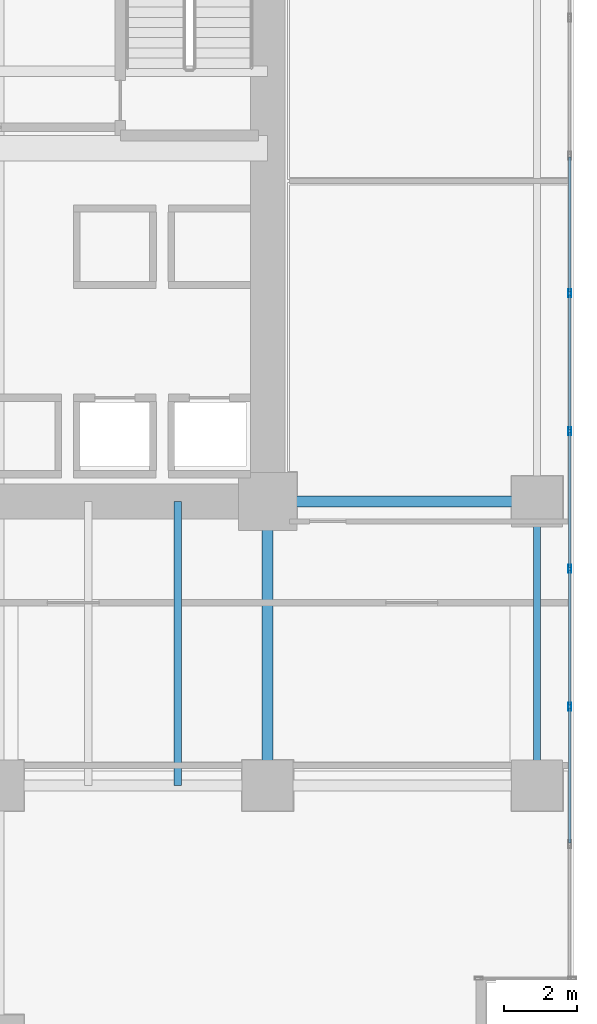
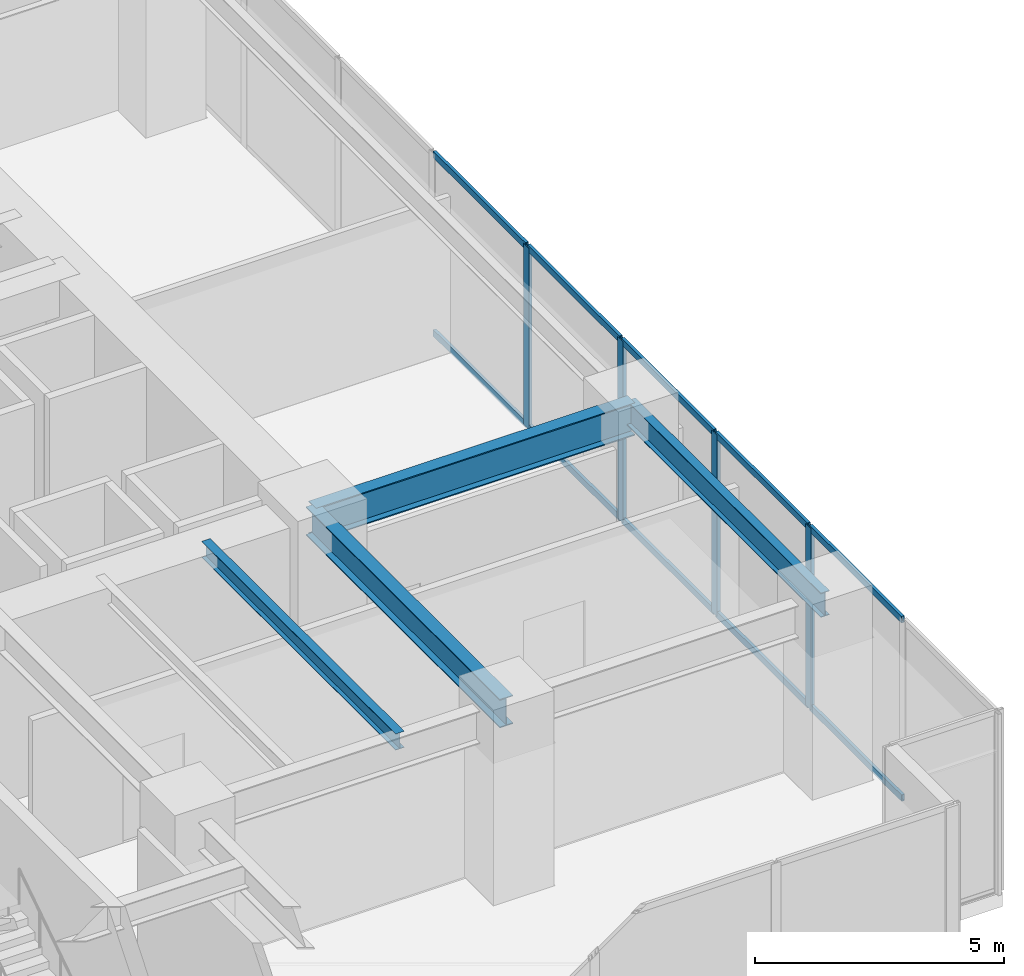
# One storey, part 24 of 39: 14 members, 4 beams, 1 element without a shape of its own.
"""IFC4 building model written with IfcOpenShell, lengths in metres."""

from ifc_helpers import new_model, si_unit, direction, frame, origin, origin_2d, place, context, subcontext, project, spatial, hollow_rectangle, i_section, extrude, source, transform, mapped, material, layer, layer_set, material_profile, profile_set, type_object, type_shapes, element, aggregate, save


model = new_model("IFC4")

# Units and contexts
model_context = context("Model", 3, precision=1e-05, world=origin(), true_north=direction((0.0, 1.0)))
body_context = subcontext(model_context, "Body", "Model", "MODEL_VIEW")
ifc_project = project(units=[si_unit("LENGTHUNIT", "METRE"), si_unit("AREAUNIT", "SQUARE_METRE"), si_unit("VOLUMEUNIT", "CUBIC_METRE"), si_unit("PLANEANGLEUNIT", "RADIAN"), si_unit("MASSUNIT", "GRAM", prefix="KILO")], contexts=[model_context])

# Site, building, storey
site_placement = place(None, origin())
site = spatial("IfcSite", under=ifc_project, at=site_placement, CompositionType="ELEMENT")
building_placement = place(site_placement, origin())
building = spatial("IfcBuilding", under=site, at=building_placement, Name="Haelvirn Gate Laboratories", CompositionType="ELEMENT")
storey_placement = place(building_placement, frame((0.0, 0.0, 15.0)))
storey = spatial("IfcBuildingStorey", under=building, at=storey_placement, Name="L04", CompositionType="ELEMENT", Elevation=15.0)

# Beams
ifc_material_1 = material(Name="Steel SM420", Category="steel")
ifc_material_profile_1 = material_profile(ifc_material_1, i_section(OverallWidth=0.300048828125, OverallDepth=0.800048828125, WebThickness=0.013916015625, FlangeThickness=0.02587890625, at=origin_2d()), Name="H-800x300x14x26")
ifc_profile_set_1 = profile_set([ifc_material_profile_1], Name="Steel SM420")
beam_type_1 = type_object("IfcBeamType", Name="BM-G-800", PredefinedType="BEAM", material=ifc_profile_set_1)
shared_shape_1 = source(origin(), body_context, "Body", "SweptSolid", [
    extrude(i_section(OverallWidth=0.300048828125, OverallDepth=0.800048828125, WebThickness=0.013916015625, FlangeThickness=0.02587890625, at=origin_2d()), origin(), (0.0, 0.0, 1.0), 7.400146484375),
])
type_shapes(beam_type_1, [shared_shape_1])
beam_1_placement = place(storey_placement, frame((67.39990234375, 14.800048828125, 4.050048828125), z_axis=(1.0, 0.0, 0.0), x_axis=(0.0, 1.0, 0.0)))
element("IfcBeam", 1, at=beam_1_placement, inside=storey, type_object=beam_type_1, Name="L04 Primary Girder Y14.8 (67.4-74.8)", PredefinedType="BEAM", context=body_context, shape_type="MappedRepresentation", body=[
    mapped(shared_shape_1, transform((0.0, 0.0, 0.0), scale=1.0)),
])
ifc_material_2 = material(Name="Steel SM355", Category="steel")
ifc_material_profile_2 = material_profile(ifc_material_2, i_section(OverallWidth=0.199951171875, OverallDepth=0.60009765625, WebThickness=0.010986328125, FlangeThickness=0.01708984375, at=origin_2d()), Name="H-600x200x11x17")
ifc_profile_set_2 = profile_set([ifc_material_profile_2], Name="Steel SM355")
beam_type_2 = type_object("IfcBeamType", Name="BM-SP-600", PredefinedType="SPANDREL", material=ifc_profile_set_2)
shared_shape_2 = source(origin(), body_context, "Body", "SweptSolid", [
    extrude(i_section(OverallWidth=0.199951171875, OverallDepth=0.60009765625, WebThickness=0.010986328125, FlangeThickness=0.01708984375, at=origin_2d()), origin(), (0.0, 0.0, 1.0), 7.800048828125),
])
type_shapes(beam_type_2, [shared_shape_2])
beam_2_placement = place(storey_placement, frame((74.800048828125, 7.0, 4.14990234375), z_axis=(0.0, 1.0, 0.0), x_axis=(-1.0, 0.0, 0.0)))
element("IfcBeam", 2, at=beam_2_placement, inside=storey, type_object=beam_type_2, Name="L04 Perimeter Spandrel X74.8 (7.0-14.8)", PredefinedType="SPANDREL", context=body_context, shape_type="MappedRepresentation", body=[
    mapped(shared_shape_2, transform((0.0, 0.0, 0.0), scale=1.0)),
])
ifc_material_profile_3 = material_profile(ifc_material_2, i_section(OverallWidth=0.199951171875, OverallDepth=0.39990234375, WebThickness=0.008056640625, FlangeThickness=0.012939453125, at=origin_2d()), Name="H-400x200x8x13")
ifc_profile_set_3 = profile_set([ifc_material_profile_3], Name="Steel SM355")
beam_type_3 = type_object("IfcBeamType", Name="BM-J-400", PredefinedType="JOIST", material=ifc_profile_set_3)
shared_shape_3 = source(origin(), body_context, "Body", "SweptSolid", [
    extrude(i_section(OverallWidth=0.199951171875, OverallDepth=0.39990234375, WebThickness=0.008056640625, FlangeThickness=0.012939453125, at=origin_2d()), origin(), (0.0, 0.0, 1.0), 7.800048828125),
])
type_shapes(beam_type_3, [shared_shape_3])
beam_3_placement = place(storey_placement, frame((64.929931640625, 7.0, 4.25), z_axis=(0.0, 1.0, 0.0), x_axis=(-1.0, 0.0, 0.0)))
element("IfcBeam", 3, at=beam_3_placement, inside=storey, type_object=beam_type_3, Name="L04 Composite Lab Joist South X64.93", PredefinedType="JOIST", context=body_context, shape_type="MappedRepresentation", body=[
    mapped(shared_shape_3, transform((0.0, 0.0, 0.0), scale=1.0)),
])
ifc_material_profile_4 = material_profile(ifc_material_2, i_section(OverallWidth=0.300048828125, OverallDepth=0.699951171875, WebThickness=0.012939453125, FlangeThickness=0.02392578125, at=origin_2d()), Name="H-700x300x13x24")
ifc_profile_set_4 = profile_set([ifc_material_profile_4], Name="Steel SM355")
beam_type_4 = type_object("IfcBeamType", Name="BM-G-700", PredefinedType="BEAM", material=ifc_profile_set_4)
shared_shape_4 = source(origin(), body_context, "Body", "SweptSolid", [
    extrude(i_section(OverallWidth=0.300048828125, OverallDepth=0.699951171875, WebThickness=0.012939453125, FlangeThickness=0.02392578125, at=origin_2d()), origin(), (0.0, 0.0, 1.0), 7.800048828125),
])
type_shapes(beam_type_4, [shared_shape_4])
beam_4_placement = place(storey_placement, frame((67.39990234375, 7.0, 4.10009765625), z_axis=(0.0, 1.0, 0.0), x_axis=(-1.0, 0.0, 0.0)))
element("IfcBeam", 4, at=beam_4_placement, inside=storey, type_object=beam_type_4, Name="L04 Frame Girder X67.4 (7.0-14.8)", PredefinedType="BEAM", context=body_context, shape_type="MappedRepresentation", body=[
    mapped(shared_shape_4, transform((0.0, 0.0, 0.0), scale=1.0)),
])

# Curtain wall, members
ifc_material_3 = material(Name="Anodised bronze unitised aluminium & triple low-E glass", Category="aluminium")
ifc_layer = layer(ifc_material_3, 0.18798828125, Name="CW-SYS-1")
ifc_layer_set = layer_set([ifc_layer], Name="Anodised bronze unitised aluminium & triple low-E glass")
curtain_wall_type = type_object("IfcCurtainWallType", Name="CW-SYS-1", PredefinedType="NOTDEFINED", material=ifc_layer_set)
curtain_wall_placement = place(storey_placement, origin())
curtain_wall = element("IfcCurtainWall", 5, at=curtain_wall_placement, inside=storey, type_object=curtain_wall_type, Name="L04 Unitised Curtain Wall CW-L04-P1-E03", PredefinedType="NOTDEFINED")
ifc_material_4 = material(Name="Extruded aluminium 6063-T6 (anodised bronze)", Category="aluminium")
ifc_material_profile_5 = material_profile(ifc_material_4, hollow_rectangle(XDim=0.070068359375, YDim=0.159912109375, WallThickness=0.0048828125, at=origin_2d()), Name="CWT-160x70x5")
ifc_profile_set_5 = profile_set([ifc_material_profile_5], Name="Extruded aluminium 6063-T6 (anodised bronze)")
member_type_1 = type_object("IfcMemberType", Name="CWT-T160", PredefinedType="USERDEFINED", material=ifc_profile_set_5)
shared_shape_5 = source(origin(), body_context, "Body", "SweptSolid", [
    extrude(hollow_rectangle(XDim=0.070068359375, YDim=0.159912109375, WallThickness=0.0048828125, at=origin_2d()), origin(), (0.0, 0.0, 1.0), 3.703369140625),
])
member_1_placement = place(storey_placement, frame((75.699951171875, 5.42333984375, 0.034912109375), z_axis=(0.0, 1.0, 0.0), x_axis=(-1.0, 0.0, 0.0)))
member_1 = element("IfcMember", 6, at=member_1_placement, type_object=member_type_1, Name="CW1 transom 2.1", ObjectType="TRANSOM", PredefinedType="USERDEFINED", context=body_context, shape_type="MappedRepresentation", body=[
    mapped(shared_shape_5, transform((0.0, 0.0, 0.0), scale=1.0)),
])
member_2_placement = place(storey_placement, frame((75.699951171875, 5.42333984375, 4.4150390625), z_axis=(0.0, 1.0, 0.0), x_axis=(-1.0, 0.0, 0.0)))
member_2 = element("IfcMember", 7, at=member_2_placement, type_object=member_type_1, Name="CW1 transom 2.2", ObjectType="TRANSOM", PredefinedType="USERDEFINED", context=body_context, shape_type="MappedRepresentation", body=[
    mapped(shared_shape_5, transform((0.0, 0.0, 0.0), scale=1.0)),
])
member_3_placement = place(storey_placement, frame((75.699951171875, 12.989990234375, 0.034912109375), z_axis=(0.0, 1.0, 0.0), x_axis=(-1.0, 0.0, 0.0)))
member_3 = element("IfcMember", 8, at=member_3_placement, type_object=member_type_1, Name="CW1 transom 4.1", ObjectType="TRANSOM", PredefinedType="USERDEFINED", context=body_context, shape_type="MappedRepresentation", body=[
    mapped(shared_shape_5, transform((0.0, 0.0, 0.0), scale=1.0)),
])
member_4_placement = place(storey_placement, frame((75.699951171875, 12.989990234375, 4.4150390625), z_axis=(0.0, 1.0, 0.0), x_axis=(-1.0, 0.0, 0.0)))
member_4 = element("IfcMember", 9, at=member_4_placement, type_object=member_type_1, Name="CW1 transom 4.2", ObjectType="TRANSOM", PredefinedType="USERDEFINED", context=body_context, shape_type="MappedRepresentation", body=[
    mapped(shared_shape_5, transform((0.0, 0.0, 0.0), scale=1.0)),
])
member_5_placement = place(storey_placement, frame((75.699951171875, 20.556640625, 0.034912109375), z_axis=(0.0, 1.0, 0.0), x_axis=(-1.0, 0.0, 0.0)))
member_5 = element("IfcMember", 10, at=member_5_placement, type_object=member_type_1, Name="CW1 transom 6.1", ObjectType="TRANSOM", PredefinedType="USERDEFINED", context=body_context, shape_type="MappedRepresentation", body=[
    mapped(shared_shape_5, transform((0.0, 0.0, 0.0), scale=1.0)),
])
member_6_placement = place(storey_placement, frame((75.699951171875, 20.556640625, 4.4150390625), z_axis=(0.0, 1.0, 0.0), x_axis=(-1.0, 0.0, 0.0)))
member_6 = element("IfcMember", 11, at=member_6_placement, type_object=member_type_1, Name="CW1 transom 6.2", ObjectType="TRANSOM", PredefinedType="USERDEFINED", context=body_context, shape_type="MappedRepresentation", body=[
    mapped(shared_shape_5, transform((0.0, 0.0, 0.0), scale=1.0)),
])
shared_shape_6 = source(origin(), body_context, "Body", "SweptSolid", [
    extrude(hollow_rectangle(XDim=0.070068359375, YDim=0.159912109375, WallThickness=0.0048828125, at=origin_2d()), origin(), (0.0, 0.0, 1.0), 3.703125),
])
type_shapes(member_type_1, [shared_shape_5, shared_shape_6])
member_7_placement = place(storey_placement, frame((75.699951171875, 9.206787109375, 0.034912109375), z_axis=(0.0, 1.0, 0.0), x_axis=(-1.0, 0.0, 0.0)))
member_7 = element("IfcMember", 12, at=member_7_placement, type_object=member_type_1, Name="CW1 transom 3.1", ObjectType="TRANSOM", PredefinedType="USERDEFINED", context=body_context, shape_type="MappedRepresentation", body=[
    mapped(shared_shape_6, transform((0.0, 0.0, 0.0), scale=1.0)),
])
member_8_placement = place(storey_placement, frame((75.699951171875, 9.206787109375, 4.4150390625), z_axis=(0.0, 1.0, 0.0), x_axis=(-1.0, 0.0, 0.0)))
member_8 = element("IfcMember", 13, at=member_8_placement, type_object=member_type_1, Name="CW1 transom 3.2", ObjectType="TRANSOM", PredefinedType="USERDEFINED", context=body_context, shape_type="MappedRepresentation", body=[
    mapped(shared_shape_6, transform((0.0, 0.0, 0.0), scale=1.0)),
])
member_9_placement = place(storey_placement, frame((75.699951171875, 16.7734375, 0.034912109375), z_axis=(0.0, 1.0, 0.0), x_axis=(-1.0, 0.0, 0.0)))
member_9 = element("IfcMember", 14, at=member_9_placement, type_object=member_type_1, Name="CW1 transom 5.1", ObjectType="TRANSOM", PredefinedType="USERDEFINED", context=body_context, shape_type="MappedRepresentation", body=[
    mapped(shared_shape_6, transform((0.0, 0.0, 0.0), scale=1.0)),
])
member_10_placement = place(storey_placement, frame((75.699951171875, 16.7734375, 4.4150390625), z_axis=(0.0, 1.0, 0.0), x_axis=(-1.0, 0.0, 0.0)))
member_10 = element("IfcMember", 15, at=member_10_placement, type_object=member_type_1, Name="CW1 transom 5.2", ObjectType="TRANSOM", PredefinedType="USERDEFINED", context=body_context, shape_type="MappedRepresentation", body=[
    mapped(shared_shape_6, transform((0.0, 0.0, 0.0), scale=1.0)),
])
ifc_material_profile_6 = material_profile(ifc_material_4, hollow_rectangle(XDim=0.080078125, YDim=0.219970703125, WallThickness=0.006103515625, at=origin_2d()), Name="CWM-220x80x6")
ifc_profile_set_6 = profile_set([ifc_material_profile_6], Name="Extruded aluminium 6063-T6 (anodised bronze)")
member_type_2 = type_object("IfcMemberType", Name="CWM-T220", PredefinedType="MULLION", material=ifc_profile_set_6)
shared_shape_7 = source(origin(), body_context, "Body", "SweptSolid", [
    extrude(hollow_rectangle(XDim=0.080078125, YDim=0.219970703125, WallThickness=0.006103515625, at=origin_2d()), origin(), (0.0, 0.0, 1.0), 4.449951171875),
])
type_shapes(member_type_2, [shared_shape_7])
member_11_placement = place(storey_placement, frame((75.699951171875, 9.166748046875, 0.0), z_axis=(0.0, 0.0, 1.0), x_axis=(-1.0, 0.0, 0.0)))
member_11 = element("IfcMember", 16, at=member_11_placement, type_object=member_type_2, Name="CW1 mullion 3", PredefinedType="MULLION", context=body_context, shape_type="MappedRepresentation", body=[
    mapped(shared_shape_7, transform((0.0, 0.0, 0.0), scale=1.0)),
])
member_12_placement = place(storey_placement, frame((75.699951171875, 12.949951171875, 0.0), z_axis=(0.0, 0.0, 1.0), x_axis=(-1.0, 0.0, 0.0)))
member_12 = element("IfcMember", 17, at=member_12_placement, type_object=member_type_2, Name="CW1 mullion 4", PredefinedType="MULLION", context=body_context, shape_type="MappedRepresentation", body=[
    mapped(shared_shape_7, transform((0.0, 0.0, 0.0), scale=1.0)),
])
member_13_placement = place(storey_placement, frame((75.699951171875, 16.7333984375, 0.0), z_axis=(0.0, 0.0, 1.0), x_axis=(-1.0, 0.0, 0.0)))
member_13 = element("IfcMember", 18, at=member_13_placement, type_object=member_type_2, Name="CW1 mullion 5", PredefinedType="MULLION", context=body_context, shape_type="MappedRepresentation", body=[
    mapped(shared_shape_7, transform((0.0, 0.0, 0.0), scale=1.0)),
])
member_14_placement = place(storey_placement, frame((75.699951171875, 20.5166015625, 0.0), z_axis=(0.0, 0.0, 1.0), x_axis=(-1.0, 0.0, 0.0)))
member_14 = element("IfcMember", 19, at=member_14_placement, type_object=member_type_2, Name="CW1 mullion 6", PredefinedType="MULLION", context=body_context, shape_type="MappedRepresentation", body=[
    mapped(shared_shape_7, transform((0.0, 0.0, 0.0), scale=1.0)),
])
aggregate(curtain_wall, [member_11, member_12, member_13, member_14, member_1, member_2, member_7, member_8, member_3, member_4, member_9, member_10, member_5, member_6])

save(model, "model.ifc")
